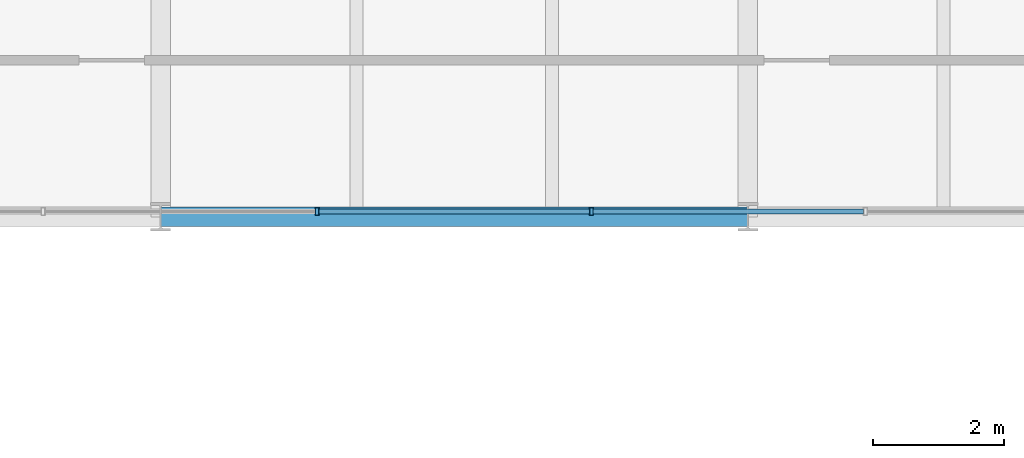
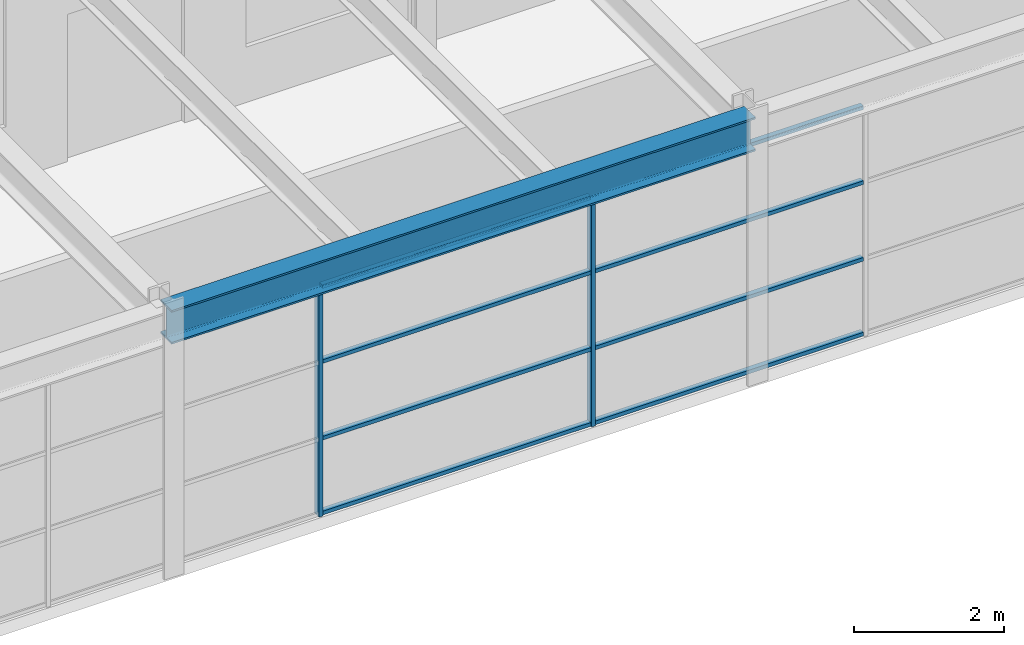
# One storey, part 36 of 111: 10 members, 1 beam, 1 element without a shape of its own.
"""IFC4 building model written with IfcOpenShell, lengths in metres."""

from ifc_helpers import new_model, si_unit, direction, frame, origin, origin_2d, place, context, subcontext, project, spatial, hollow_rectangle, i_section, extrude, material, material_profile, profile_set, type_object, element, aggregate, save


model = new_model("IFC4")

# Units and contexts
model_context = context("Model", 3, precision=1e-05, world=origin(), true_north=direction((0.0, 1.0)))
body_context = subcontext(model_context, "Body", "Model", "MODEL_VIEW")
ifc_project = project(units=[si_unit("LENGTHUNIT", "METRE"), si_unit("AREAUNIT", "SQUARE_METRE"), si_unit("VOLUMEUNIT", "CUBIC_METRE"), si_unit("PLANEANGLEUNIT", "RADIAN"), si_unit("MASSUNIT", "GRAM", prefix="KILO")], contexts=[model_context])

# Site, building, storey
site_placement = place(None, origin())
site = spatial("IfcSite", under=ifc_project, at=site_placement, CompositionType="ELEMENT")
building_placement = place(site_placement, origin())
building = spatial("IfcBuilding", under=site, at=building_placement, Name="Kallimachos Central Library", CompositionType="ELEMENT")
storey_placement = place(building_placement, frame((0.0, 0.0, 14.39990234375)))
storey = spatial("IfcBuildingStorey", under=building, at=storey_placement, Name="L03", CompositionType="ELEMENT", Elevation=14.39990234375)

# Curtain wall, members
ifc_material_1 = material(Name="Aluminium and laminated glass", Category="aluminium")
curtain_wall_type = type_object("IfcCurtainWallType", Name="Atrium glazed screen", PredefinedType="NOTDEFINED", material=ifc_material_1)
curtain_wall_placement = place(storey_placement, origin())
curtain_wall = element("IfcCurtainWall", 1, at=curtain_wall_placement, inside=storey, type_object=curtain_wall_type, Name="L03 atrium screen N", PredefinedType="NOTDEFINED")
ifc_material_2 = material(Name="Anodised aluminium", Category="aluminium")
ifc_material_profile_1 = material_profile(ifc_material_2, hollow_rectangle(XDim=0.06005859375, YDim=0.1201171875, WallThickness=0.00390625, at=origin_2d()), Name="ALU MULLION 60x120")
ifc_profile_set_1 = profile_set([ifc_material_profile_1], Name="Anodised aluminium")
member_type_1 = type_object("IfcMemberType", Name="Atrium screen mullion", PredefinedType="MULLION", material=ifc_profile_set_1)
member_1_placement = place(storey_placement, frame((85.89990234375, 75.080078125, 0.0), z_axis=(0.0, 0.0, 1.0), x_axis=(1.0, 0.0, 0.0)))
member_1 = element("IfcMember", 2, at=member_1_placement, type_object=member_type_1, Name="CW mullion 3", PredefinedType="MULLION", context=body_context, shape_type="SweptSolid", body=[
    extrude(hollow_rectangle(XDim=0.06005859375, YDim=0.1201171875, WallThickness=0.00390625, at=origin_2d()), origin(), (0.0, 0.0, 1.0), 3.75),
])
member_2_placement = place(storey_placement, frame((90.10009765625, 75.080078125, 0.0), z_axis=(0.0, 0.0, 1.0), x_axis=(1.0, 0.0, 0.0)))
member_2 = element("IfcMember", 3, at=member_2_placement, type_object=member_type_1, Name="CW mullion 4", PredefinedType="MULLION", context=body_context, shape_type="SweptSolid", body=[
    extrude(hollow_rectangle(XDim=0.06005859375, YDim=0.1201171875, WallThickness=0.00390625, at=origin_2d()), origin(), (0.0, 0.0, 1.0), 3.75),
])
ifc_material_3 = material(Name="Anodised aluminium", Category="aluminium")
ifc_material_profile_2 = material_profile(ifc_material_3, hollow_rectangle(XDim=0.06005859375, YDim=0.080078125, WallThickness=0.00390625, at=origin_2d()), Name="ALU TRANSOM 60x80")
ifc_profile_set_2 = profile_set([ifc_material_profile_2], Name="Anodised aluminium")
member_type_2 = type_object("IfcMemberType", Name="Atrium screen transom", PredefinedType="USERDEFINED", material=ifc_profile_set_2)
member_3_placement = place(storey_placement, frame((85.929931640625, 75.080078125, 0.030029296875), z_axis=(1.0, 0.0, 0.0), x_axis=(0.0, 0.0, 1.0)))
member_3 = element("IfcMember", 4, at=member_3_placement, type_object=member_type_2, Name="CW transom 3.1", ObjectType="TRANSOM", PredefinedType="USERDEFINED", context=body_context, shape_type="SweptSolid", body=[
    extrude(hollow_rectangle(XDim=0.06005859375, YDim=0.080078125, WallThickness=0.00390625, at=origin_2d()), origin(), (0.0, 0.0, 1.0), 4.14013671875),
])
member_4_placement = place(storey_placement, frame((85.929931640625, 75.080078125, 1.25), z_axis=(1.0, 0.0, 0.0), x_axis=(0.0, 0.0, 1.0)))
member_4 = element("IfcMember", 5, at=member_4_placement, type_object=member_type_2, Name="CW transom 3.2", ObjectType="TRANSOM", PredefinedType="USERDEFINED", context=body_context, shape_type="SweptSolid", body=[
    extrude(hollow_rectangle(XDim=0.06005859375, YDim=0.080078125, WallThickness=0.00390625, at=origin_2d()), origin(), (0.0, 0.0, 1.0), 4.14013671875),
])
member_5_placement = place(storey_placement, frame((85.929931640625, 75.080078125, 2.5), z_axis=(1.0, 0.0, 0.0), x_axis=(0.0, 0.0, 1.0)))
member_5 = element("IfcMember", 6, at=member_5_placement, type_object=member_type_2, Name="CW transom 3.3", ObjectType="TRANSOM", PredefinedType="USERDEFINED", context=body_context, shape_type="SweptSolid", body=[
    extrude(hollow_rectangle(XDim=0.06005859375, YDim=0.080078125, WallThickness=0.00390625, at=origin_2d()), origin(), (0.0, 0.0, 1.0), 4.14013671875),
])
member_6_placement = place(storey_placement, frame((85.929931640625, 75.080078125, 3.72021484375), z_axis=(1.0, 0.0, 0.0), x_axis=(0.0, 0.0, 1.0)))
member_6 = element("IfcMember", 7, at=member_6_placement, type_object=member_type_2, Name="CW transom 3.4", ObjectType="TRANSOM", PredefinedType="USERDEFINED", context=body_context, shape_type="SweptSolid", body=[
    extrude(hollow_rectangle(XDim=0.06005859375, YDim=0.080078125, WallThickness=0.00390625, at=origin_2d()), origin(), (0.0, 0.0, 1.0), 4.14013671875),
])
member_7_placement = place(storey_placement, frame((90.1298828125, 75.080078125, 0.030029296875), z_axis=(1.0, 0.0, 0.0), x_axis=(0.0, 0.0, 1.0)))
member_7 = element("IfcMember", 8, at=member_7_placement, type_object=member_type_2, Name="CW transom 4.1", ObjectType="TRANSOM", PredefinedType="USERDEFINED", context=body_context, shape_type="SweptSolid", body=[
    extrude(hollow_rectangle(XDim=0.06005859375, YDim=0.080078125, WallThickness=0.00390625, at=origin_2d()), origin(), (0.0, 0.0, 1.0), 4.14013671875),
])
member_8_placement = place(storey_placement, frame((90.1298828125, 75.080078125, 1.25), z_axis=(1.0, 0.0, 0.0), x_axis=(0.0, 0.0, 1.0)))
member_8 = element("IfcMember", 9, at=member_8_placement, type_object=member_type_2, Name="CW transom 4.2", ObjectType="TRANSOM", PredefinedType="USERDEFINED", context=body_context, shape_type="SweptSolid", body=[
    extrude(hollow_rectangle(XDim=0.06005859375, YDim=0.080078125, WallThickness=0.00390625, at=origin_2d()), origin(), (0.0, 0.0, 1.0), 4.14013671875),
])
member_9_placement = place(storey_placement, frame((90.1298828125, 75.080078125, 2.5), z_axis=(1.0, 0.0, 0.0), x_axis=(0.0, 0.0, 1.0)))
member_9 = element("IfcMember", 10, at=member_9_placement, type_object=member_type_2, Name="CW transom 4.3", ObjectType="TRANSOM", PredefinedType="USERDEFINED", context=body_context, shape_type="SweptSolid", body=[
    extrude(hollow_rectangle(XDim=0.06005859375, YDim=0.080078125, WallThickness=0.00390625, at=origin_2d()), origin(), (0.0, 0.0, 1.0), 4.14013671875),
])
member_10_placement = place(storey_placement, frame((90.1298828125, 75.080078125, 3.72021484375), z_axis=(1.0, 0.0, 0.0), x_axis=(0.0, 0.0, 1.0)))
member_10 = element("IfcMember", 11, at=member_10_placement, type_object=member_type_2, Name="CW transom 4.4", ObjectType="TRANSOM", PredefinedType="USERDEFINED", context=body_context, shape_type="SweptSolid", body=[
    extrude(hollow_rectangle(XDim=0.06005859375, YDim=0.080078125, WallThickness=0.00390625, at=origin_2d()), origin(), (0.0, 0.0, 1.0), 4.14013671875),
])
aggregate(curtain_wall, [member_1, member_2, member_3, member_4, member_5, member_6, member_7, member_8, member_9, member_10])

# Beam
ifc_material_4 = material(Name="Steel S355J2", Category="steel")
ifc_material_profile_3 = material_profile(ifc_material_4, i_section(OverallWidth=0.300048828125, OverallDepth=0.550048828125, WebThickness=0.014892578125, FlangeThickness=0.029052734375, FilletRadius=0.027099609375, at=origin_2d()), Name="HEB 550")
ifc_profile_set_3 = profile_set([ifc_material_profile_3], Name="Steel S355J2")
beam_type = type_object("IfcBeamType", Name="HEB 550 beam", PredefinedType="BEAM", material=ifc_profile_set_3)
beam_placement = place(storey_placement, frame((83.5, 75.0, 4.025146484375), z_axis=(1.0, 0.0, 0.0), x_axis=(0.0, 1.0, 0.0)))
element("IfcBeam", 12, at=beam_placement, inside=storey, type_object=beam_type, Name="V4-BEM-L03-002", PredefinedType="BEAM", context=body_context, shape_type="SweptSolid", body=[
    extrude(i_section(OverallWidth=0.300048828125, OverallDepth=0.550048828125, WebThickness=0.014892578125, FlangeThickness=0.029052734375, FilletRadius=0.027099609375, at=origin_2d()), origin(), (0.0, 0.0, 1.0), 9.0),
])

save(model, "model.ifc")
